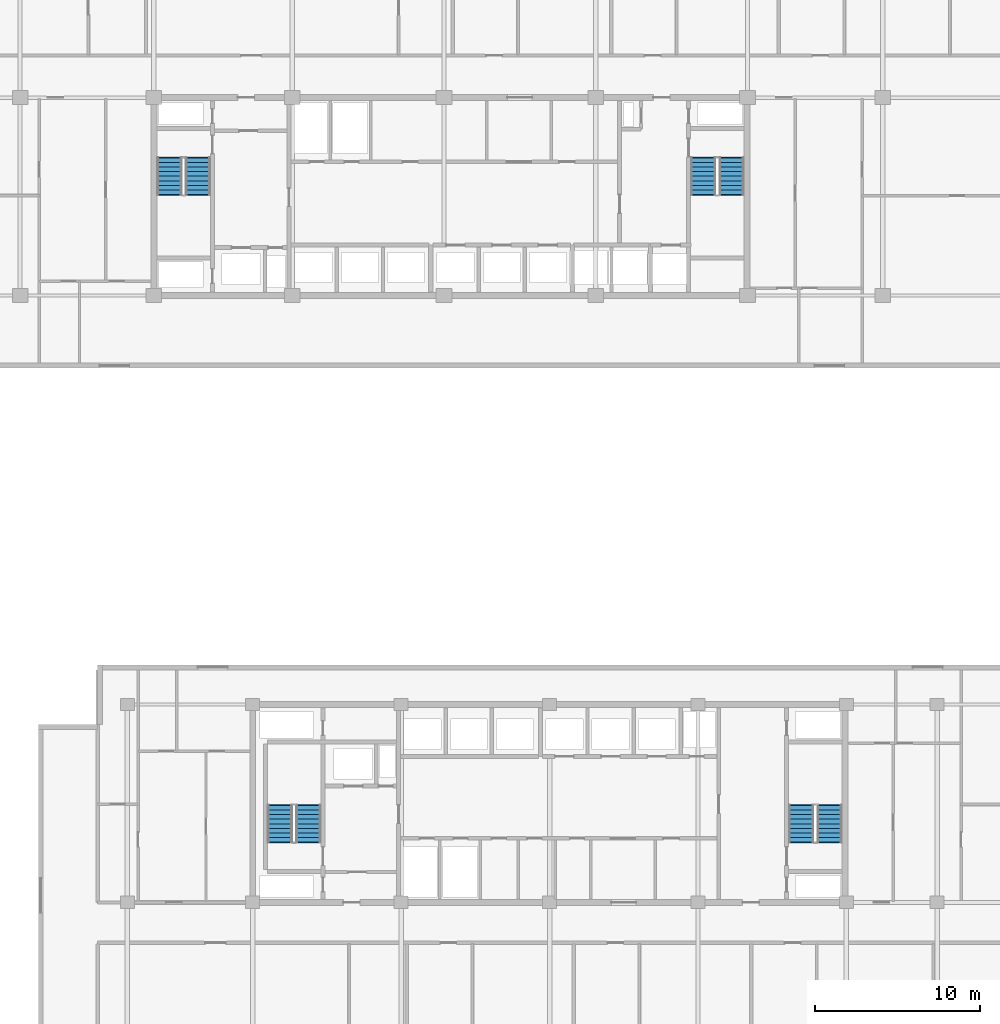
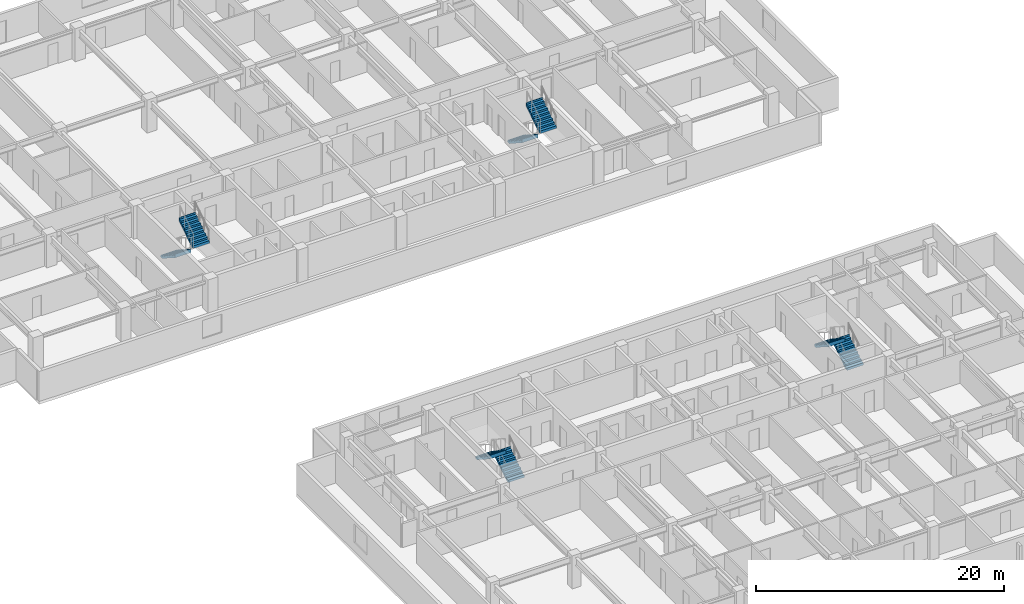
# One storey, part 16 of 21: 8 stair flights, 4 elements without a shape of their own.
"""IFC4 building model written with IfcOpenShell, lengths in metres."""

from ifc_helpers import new_model, si_unit, direction, frame, origin, place, context, subcontext, project, spatial, polyline, outline, extrude, material, type_object, element, aggregate, save


model = new_model("IFC4")

# Units and contexts
model_context = context("Model", 3, precision=1e-05, world=origin(), true_north=direction((0.0, 1.0)))
body_context = subcontext(model_context, "Body", "Model", "MODEL_VIEW")
ifc_project = project(units=[si_unit("LENGTHUNIT", "METRE"), si_unit("AREAUNIT", "SQUARE_METRE"), si_unit("VOLUMEUNIT", "CUBIC_METRE"), si_unit("PLANEANGLEUNIT", "RADIAN"), si_unit("MASSUNIT", "GRAM", prefix="KILO")], contexts=[model_context])

# Site, building, storey
site_placement = place(None, origin())
site = spatial("IfcSite", under=ifc_project, at=site_placement, CompositionType="ELEMENT")
building_placement = place(site_placement, origin())
building = spatial("IfcBuilding", under=site, at=building_placement, Name="Korimba Cascade Residences", CompositionType="ELEMENT")
storey_placement = place(building_placement, frame((0.0, 0.0, 97.050048828125)))
storey = spatial("IfcBuildingStorey", under=building, at=storey_placement, Name="L27", CompositionType="ELEMENT", Elevation=97.050048828125)

# Stair, stair flights
ifc_material = material(Name="Concrete C50/60", Category="concrete")
stair_type_1 = type_object("IfcStairType", Name="STR-W1-18R-1806", PredefinedType="HALF_TURN_STAIR", material=ifc_material)
stair_1_placement = place(storey_placement, origin())
stair_1 = element("IfcStair", 1, at=stair_1_placement, inside=storey, type_object=stair_type_1, Name="L27 Tower 1 West Fire Stair ST-W1", PredefinedType="HALF_TURN_STAIR")
stair_flight_type = type_object("IfcStairFlightType", Name="STF-DL-18R-1806-1520", PredefinedType="STRAIGHT", material=ifc_material)
stair_flight_1_placement = place(storey_placement, frame((77.06005859375, 63.550048828125, 0.0), z_axis=(0.0, 0.0, 1.0), x_axis=(0.0, -1.0, 0.0)))
stair_flight_1 = element("IfcStairFlight", 2, at=stair_flight_1_placement, type_object=stair_flight_type, Name="ST-W1 flight 1", NumberOfRisers=9, NumberOfTreads=8, PredefinedType="STRAIGHT", RiserHeight=0.180555556, TreadLength=0.28, context=body_context, shape_type="SweptSolid", body=[
    extrude(outline(polyline([(-0.0380859375, 0.0), (0.0, 0.1806640625), (0.280029296875, 0.1806640625), (0.280029296875, 0.361083984375), (0.56005859375, 0.361083984375), (0.56005859375, 0.541748046875), (0.840087890625, 0.541748046875), (0.840087890625, 0.72216796875), (1.1201171875, 0.72216796875), (1.1201171875, 0.90283203125), (1.39990234375, 0.90283203125), (1.39990234375, 1.083251953125), (1.679931640625, 1.083251953125), (1.679931640625, 1.263916015625), (1.9599609375, 1.263916015625), (1.9599609375, 1.4443359375), (2.239990234375, 1.4443359375), (2.239990234375, 1.625), (2.278076171875, 1.625), (2.278076171875, 1.26611328125), (0.276611328125, 0.0), (0.276611328125, -0.0380859375), (-0.0380859375, -0.0380859375), (-0.0380859375, 0.0)])), frame((0.0, 0.760009765625, 0.0), z_axis=(0.0, -1.0, 0.0), x_axis=(1.0, 0.0, 0.0)), (0.0, 0.0, 1.0), 1.52001953125),
])
stair_flight_2_placement = place(storey_placement, frame((78.780029296875, 61.31005859375, 1.625), z_axis=(0.0, 0.0, 1.0), x_axis=(0.0, 1.0, 0.0)))
stair_flight_2 = element("IfcStairFlight", 3, at=stair_flight_2_placement, type_object=stair_flight_type, Name="ST-W1 flight 2", NumberOfRisers=9, NumberOfTreads=8, PredefinedType="STRAIGHT", RiserHeight=0.180555556, TreadLength=0.28, context=body_context, shape_type="SweptSolid", body=[
    extrude(outline(polyline([(-0.0380859375, 0.0), (0.0, 0.1806640625), (0.280029296875, 0.1806640625), (0.280029296875, 0.361083984375), (0.56005859375, 0.361083984375), (0.56005859375, 0.541748046875), (0.840087890625, 0.541748046875), (0.840087890625, 0.72216796875), (1.1201171875, 0.72216796875), (1.1201171875, 0.90283203125), (1.39990234375, 0.90283203125), (1.39990234375, 1.083251953125), (1.679931640625, 1.083251953125), (1.679931640625, 1.263916015625), (1.9599609375, 1.263916015625), (1.9599609375, 1.4443359375), (2.239990234375, 1.4443359375), (2.239990234375, 1.625), (2.278076171875, 1.625), (2.278076171875, 1.26611328125), (0.276611328125, 0.0), (0.276611328125, -0.0380859375), (-0.0380859375, -0.0380859375), (-0.0380859375, 0.0)])), frame((0.0, 0.760009765625, 0.0), z_axis=(0.0, -1.0, 0.0), x_axis=(1.0, 0.0, 0.0)), (0.0, 0.0, 1.0), 1.52001953125),
])
aggregate(stair_1, [stair_flight_1, stair_flight_2])

stair_type_2 = type_object("IfcStairType", Name="STR-W2-18R-1806", PredefinedType="HALF_TURN_STAIR", material=ifc_material)
stair_2_placement = place(storey_placement, origin())
stair_2 = element("IfcStair", 4, at=stair_2_placement, inside=storey, type_object=stair_type_2, Name="L27 Tower 1 East Fire Stair ST-W2", PredefinedType="HALF_TURN_STAIR")
stair_flight_3_placement = place(storey_placement, frame((109.419921875, 63.550048828125, 0.0), z_axis=(0.0, 0.0, 1.0), x_axis=(0.0, -1.0, 0.0)))
stair_flight_3 = element("IfcStairFlight", 5, at=stair_flight_3_placement, type_object=stair_flight_type, Name="ST-W2 flight 1", NumberOfRisers=9, NumberOfTreads=8, PredefinedType="STRAIGHT", RiserHeight=0.180555556, TreadLength=0.28, context=body_context, shape_type="SweptSolid", body=[
    extrude(outline(polyline([(-0.0380859375, 0.0), (0.0, 0.1806640625), (0.280029296875, 0.1806640625), (0.280029296875, 0.361083984375), (0.56005859375, 0.361083984375), (0.56005859375, 0.541748046875), (0.840087890625, 0.541748046875), (0.840087890625, 0.72216796875), (1.1201171875, 0.72216796875), (1.1201171875, 0.90283203125), (1.39990234375, 0.90283203125), (1.39990234375, 1.083251953125), (1.679931640625, 1.083251953125), (1.679931640625, 1.263916015625), (1.9599609375, 1.263916015625), (1.9599609375, 1.4443359375), (2.239990234375, 1.4443359375), (2.239990234375, 1.625), (2.278076171875, 1.625), (2.278076171875, 1.26611328125), (0.276611328125, 0.0), (0.276611328125, -0.0380859375), (-0.0380859375, -0.0380859375), (-0.0380859375, 0.0)])), frame((0.0, 0.760009765625, 0.0), z_axis=(0.0, -1.0, 0.0), x_axis=(1.0, 0.0, 0.0)), (0.0, 0.0, 1.0), 1.52001953125),
])
stair_flight_4_placement = place(storey_placement, frame((111.139892578125, 61.31005859375, 1.625), z_axis=(0.0, 0.0, 1.0), x_axis=(0.0, 1.0, 0.0)))
stair_flight_4 = element("IfcStairFlight", 6, at=stair_flight_4_placement, type_object=stair_flight_type, Name="ST-W2 flight 2", NumberOfRisers=9, NumberOfTreads=8, PredefinedType="STRAIGHT", RiserHeight=0.180555556, TreadLength=0.28, context=body_context, shape_type="SweptSolid", body=[
    extrude(outline(polyline([(-0.0380859375, 0.0), (0.0, 0.1806640625), (0.280029296875, 0.1806640625), (0.280029296875, 0.361083984375), (0.56005859375, 0.361083984375), (0.56005859375, 0.541748046875), (0.840087890625, 0.541748046875), (0.840087890625, 0.72216796875), (1.1201171875, 0.72216796875), (1.1201171875, 0.90283203125), (1.39990234375, 0.90283203125), (1.39990234375, 1.083251953125), (1.679931640625, 1.083251953125), (1.679931640625, 1.263916015625), (1.9599609375, 1.263916015625), (1.9599609375, 1.4443359375), (2.239990234375, 1.4443359375), (2.239990234375, 1.625), (2.278076171875, 1.625), (2.278076171875, 1.26611328125), (0.276611328125, 0.0), (0.276611328125, -0.0380859375), (-0.0380859375, -0.0380859375), (-0.0380859375, 0.0)])), frame((0.0, 0.760009765625, 0.0), z_axis=(0.0, -1.0, 0.0), x_axis=(1.0, 0.0, 0.0)), (0.0, 0.0, 1.0), 1.52001953125),
])
aggregate(stair_2, [stair_flight_3, stair_flight_4])

stair_type_3 = type_object("IfcStairType", Name="STR-E1-18R-1806", PredefinedType="HALF_TURN_STAIR", material=ifc_material)
stair_3_placement = place(storey_placement, origin())
stair_3 = element("IfcStair", 7, at=stair_3_placement, inside=storey, type_object=stair_type_3, Name="L27 Tower 2 West Fire Stair ST-E1", PredefinedType="HALF_TURN_STAIR")
stair_flight_5_placement = place(storey_placement, frame((85.47998046875, 22.050048828125, 0.0), z_axis=(0.0, 0.0, 1.0), x_axis=(0.0, 1.0, 0.0)))
stair_flight_5 = element("IfcStairFlight", 8, at=stair_flight_5_placement, type_object=stair_flight_type, Name="ST-E1 flight 1", NumberOfRisers=9, NumberOfTreads=8, PredefinedType="STRAIGHT", RiserHeight=0.180555556, TreadLength=0.28, context=body_context, shape_type="SweptSolid", body=[
    extrude(outline(polyline([(-0.0380859375, 0.0), (0.0, 0.1806640625), (0.280029296875, 0.1806640625), (0.280029296875, 0.361083984375), (0.56005859375, 0.361083984375), (0.56005859375, 0.541748046875), (0.840087890625, 0.541748046875), (0.840087890625, 0.72216796875), (1.1201171875, 0.72216796875), (1.1201171875, 0.90283203125), (1.39990234375, 0.90283203125), (1.39990234375, 1.083251953125), (1.679931640625, 1.083251953125), (1.679931640625, 1.263916015625), (1.9599609375, 1.263916015625), (1.9599609375, 1.4443359375), (2.239990234375, 1.4443359375), (2.239990234375, 1.625), (2.278076171875, 1.625), (2.278076171875, 1.26611328125), (0.276611328125, 0.0), (0.276611328125, -0.0380859375), (-0.0380859375, -0.0380859375), (-0.0380859375, 0.0)])), frame((0.0, 0.760009765625, 0.0), z_axis=(0.0, -1.0, 0.0), x_axis=(1.0, 0.0, 0.0)), (0.0, 0.0, 1.0), 1.52001953125),
])
stair_flight_6_placement = place(storey_placement, frame((83.760009765625, 24.2900390625, 1.625), z_axis=(0.0, 0.0, 1.0), x_axis=(0.0, -1.0, 0.0)))
stair_flight_6 = element("IfcStairFlight", 9, at=stair_flight_6_placement, type_object=stair_flight_type, Name="ST-E1 flight 2", NumberOfRisers=9, NumberOfTreads=8, PredefinedType="STRAIGHT", RiserHeight=0.180555556, TreadLength=0.28, context=body_context, shape_type="SweptSolid", body=[
    extrude(outline(polyline([(-0.0380859375, 0.0), (0.0, 0.1806640625), (0.280029296875, 0.1806640625), (0.280029296875, 0.361083984375), (0.56005859375, 0.361083984375), (0.56005859375, 0.541748046875), (0.840087890625, 0.541748046875), (0.840087890625, 0.72216796875), (1.1201171875, 0.72216796875), (1.1201171875, 0.90283203125), (1.39990234375, 0.90283203125), (1.39990234375, 1.083251953125), (1.679931640625, 1.083251953125), (1.679931640625, 1.263916015625), (1.9599609375, 1.263916015625), (1.9599609375, 1.4443359375), (2.239990234375, 1.4443359375), (2.239990234375, 1.625), (2.278076171875, 1.625), (2.278076171875, 1.26611328125), (0.276611328125, 0.0), (0.276611328125, -0.0380859375), (-0.0380859375, -0.0380859375), (-0.0380859375, 0.0)])), frame((0.0, 0.760009765625, 0.0), z_axis=(0.0, -1.0, 0.0), x_axis=(1.0, 0.0, 0.0)), (0.0, 0.0, 1.0), 1.52001953125),
])
aggregate(stair_3, [stair_flight_5, stair_flight_6])

stair_type_4 = type_object("IfcStairType", Name="STR-E2-18R-1806", PredefinedType="HALF_TURN_STAIR", material=ifc_material)
stair_4_placement = place(storey_placement, origin())
stair_4 = element("IfcStair", 10, at=stair_4_placement, inside=storey, type_object=stair_type_4, Name="L27 Tower 2 East Fire Stair ST-E2", PredefinedType="HALF_TURN_STAIR")
stair_flight_7_placement = place(storey_placement, frame((117.080078125, 22.050048828125, 0.0), z_axis=(0.0, 0.0, 1.0), x_axis=(0.0, 1.0, 0.0)))
stair_flight_7 = element("IfcStairFlight", 11, at=stair_flight_7_placement, type_object=stair_flight_type, Name="ST-E2 flight 1", NumberOfRisers=9, NumberOfTreads=8, PredefinedType="STRAIGHT", RiserHeight=0.180555556, TreadLength=0.28, context=body_context, shape_type="SweptSolid", body=[
    extrude(outline(polyline([(-0.0380859375, 0.0), (0.0, 0.1806640625), (0.280029296875, 0.1806640625), (0.280029296875, 0.361083984375), (0.56005859375, 0.361083984375), (0.56005859375, 0.541748046875), (0.840087890625, 0.541748046875), (0.840087890625, 0.72216796875), (1.1201171875, 0.72216796875), (1.1201171875, 0.90283203125), (1.39990234375, 0.90283203125), (1.39990234375, 1.083251953125), (1.679931640625, 1.083251953125), (1.679931640625, 1.263916015625), (1.9599609375, 1.263916015625), (1.9599609375, 1.4443359375), (2.239990234375, 1.4443359375), (2.239990234375, 1.625), (2.278076171875, 1.625), (2.278076171875, 1.26611328125), (0.276611328125, 0.0), (0.276611328125, -0.0380859375), (-0.0380859375, -0.0380859375), (-0.0380859375, 0.0)])), frame((0.0, 0.760009765625, 0.0), z_axis=(0.0, -1.0, 0.0), x_axis=(1.0, 0.0, 0.0)), (0.0, 0.0, 1.0), 1.52001953125),
])
stair_flight_8_placement = place(storey_placement, frame((115.360107421875, 24.2900390625, 1.625), z_axis=(0.0, 0.0, 1.0), x_axis=(0.0, -1.0, 0.0)))
stair_flight_8 = element("IfcStairFlight", 12, at=stair_flight_8_placement, type_object=stair_flight_type, Name="ST-E2 flight 2", NumberOfRisers=9, NumberOfTreads=8, PredefinedType="STRAIGHT", RiserHeight=0.180555556, TreadLength=0.28, context=body_context, shape_type="SweptSolid", body=[
    extrude(outline(polyline([(-0.0380859375, 0.0), (0.0, 0.1806640625), (0.280029296875, 0.1806640625), (0.280029296875, 0.361083984375), (0.56005859375, 0.361083984375), (0.56005859375, 0.541748046875), (0.840087890625, 0.541748046875), (0.840087890625, 0.72216796875), (1.1201171875, 0.72216796875), (1.1201171875, 0.90283203125), (1.39990234375, 0.90283203125), (1.39990234375, 1.083251953125), (1.679931640625, 1.083251953125), (1.679931640625, 1.263916015625), (1.9599609375, 1.263916015625), (1.9599609375, 1.4443359375), (2.239990234375, 1.4443359375), (2.239990234375, 1.625), (2.278076171875, 1.625), (2.278076171875, 1.26611328125), (0.276611328125, 0.0), (0.276611328125, -0.0380859375), (-0.0380859375, -0.0380859375), (-0.0380859375, 0.0)])), frame((0.0, 0.760009765625, 0.0), z_axis=(0.0, -1.0, 0.0), x_axis=(1.0, 0.0, 0.0)), (0.0, 0.0, 1.0), 1.52001953125),
])
aggregate(stair_4, [stair_flight_7, stair_flight_8])

save(model, "model.ifc")
